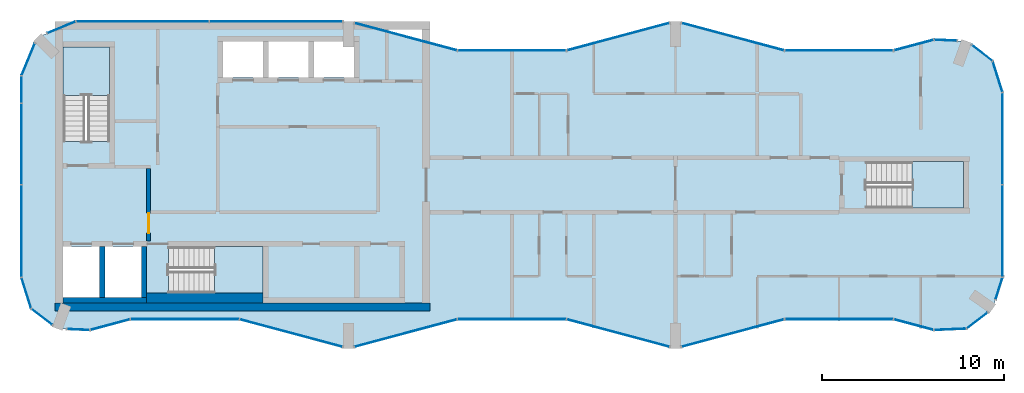
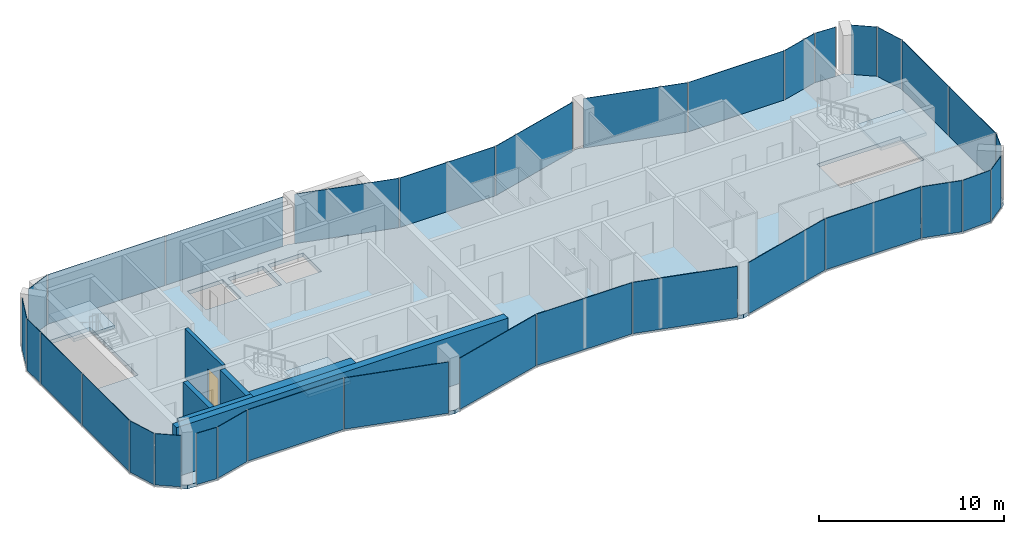
# One storey, part 6 of 10: 33 plates, 6 walls, 4 slabs, 1 door, 1 opening, 32 elements without a shape of their own.
"""IFC4 building model written with IfcOpenShell, lengths in metres."""

from ifc_helpers import new_model, si_unit, direction, frame, frame_2d, origin, origin_2d, place, context, subcontext, project, spatial, polyline, rectangle, outline, extrude, material, layer, layer_set, type_object, element, fill, aggregate, save


model = new_model("IFC4")

# Units and contexts
model_context = context("Model", 3, precision=1e-05, world=origin(), true_north=direction((0.0, 1.0)))
body_context = subcontext(model_context, "Body", "Model", "MODEL_VIEW")
ifc_project = project(units=[si_unit("LENGTHUNIT", "METRE"), si_unit("AREAUNIT", "SQUARE_METRE"), si_unit("VOLUMEUNIT", "CUBIC_METRE"), si_unit("PLANEANGLEUNIT", "RADIAN"), si_unit("MASSUNIT", "GRAM", prefix="KILO")], contexts=[model_context])

# Site, building, storey
site_placement = place(None, origin())
site = spatial("IfcSite", under=ifc_project, at=site_placement, CompositionType="ELEMENT")
building_placement = place(site_placement, origin())
building = spatial("IfcBuilding", under=site, at=building_placement, Name="Plateau Cross Towers", CompositionType="ELEMENT")
storey_placement = place(building_placement, frame((0.0, 0.0, 277.39990234375)))
storey = spatial("IfcBuildingStorey", under=building, at=storey_placement, Name="L73", CompositionType="ELEMENT", Elevation=277.39990234375)

# Curtain wall, plate
ifc_material_1 = material(Name="Dark low-iron glass", Category="glass")
ifc_layer_1 = layer(ifc_material_1, 0.239990234375)
ifc_layer_set_1 = layer_set([ifc_layer_1], Name="Dark low-iron glass")
curtain_wall_type_1 = type_object("IfcCurtainWallType", Name="Curtain wall flush unitised CW-B", PredefinedType="NOTDEFINED", material=ifc_layer_set_1)
curtain_wall_1_placement = place(storey_placement, origin())
curtain_wall_1 = element("IfcCurtainWall", 1, at=curtain_wall_1_placement, inside=storey, type_object=curtain_wall_type_1, Name="ENV/A/L73/A502_10", PredefinedType="NOTDEFINED")
ifc_layer_2 = layer(ifc_material_1, 0.031982421875)
ifc_layer_set_2 = layer_set([ifc_layer_2], Name="Dark low-iron glass")
plate_type_1 = type_object("IfcPlateType", Name="Glass panel 32 flush unitised", PredefinedType="CURTAIN_PANEL", material=ifc_layer_set_2)
plate_1_placement = place(storey_placement, frame((51.125, 1.05078125, -0.1298828125), z_axis=(0.0, 0.0, 1.0), x_axis=(0.999043701491, 0.043722791671, 0.0)))
plate_1 = element("IfcPlate", 2, at=plate_1_placement, type_object=plate_type_1, Name="CW-B panel 1", PredefinedType="CURTAIN_PANEL", context=body_context, shape_type="SweptSolid", body=[
    extrude(rectangle(XDim=1.744140625, YDim=0.031982421875, at=origin_2d()), origin(), (0.0, 0.0, 1.0), 3.3798828125),
])
aggregate(curtain_wall_1, [plate_1])

curtain_wall_2_placement = place(storey_placement, origin())
curtain_wall_2 = element("IfcCurtainWall", 3, at=curtain_wall_2_placement, inside=storey, type_object=curtain_wall_type_1, Name="ENV/A/L73/A520_11", PredefinedType="NOTDEFINED")
plate_2_placement = place(storey_placement, frame((52.60986328125, 1.5380859375, -0.1298828125), z_axis=(0.0, 0.0, 1.0), x_axis=(0.793315514529, 0.608810721331, 0.0)))
plate_2 = element("IfcPlate", 4, at=plate_2_placement, type_object=plate_type_1, Name="CW-B panel 1", PredefinedType="CURTAIN_PANEL", context=body_context, shape_type="SweptSolid", body=[
    extrude(rectangle(XDim=1.41162109375, YDim=0.031982421875, at=origin_2d()), origin(), (0.0, 0.0, 1.0), 3.3798828125),
])
aggregate(curtain_wall_2, [plate_2])

curtain_wall_3_placement = place(storey_placement, origin())
curtain_wall_3 = element("IfcCurtainWall", 5, at=curtain_wall_3_placement, inside=storey, type_object=curtain_wall_type_1, Name="ENV/A/L73/A536_27", PredefinedType="NOTDEFINED")
plate_3_placement = place(storey_placement, frame((53.805419921875, 3.292236328125, -0.1298828125), z_axis=(0.0, 0.0, 1.0), x_axis=(0.300686174994, 0.95372313811, 0.0)))
plate_3 = element("IfcPlate", 6, at=plate_3_placement, type_object=plate_type_1, Name="CW-B panel 1", PredefinedType="CURTAIN_PANEL", context=body_context, shape_type="SweptSolid", body=[
    extrude(rectangle(XDim=1.233642578125, YDim=0.031982421875, at=origin_2d()), origin(), (0.0, 0.0, 1.0), 3.3798828125),
])
aggregate(curtain_wall_3, [plate_3])

# Curtain wall, plates
curtain_wall_4_placement = place(storey_placement, origin())
curtain_wall_4 = element("IfcCurtainWall", 7, at=curtain_wall_4_placement, inside=storey, type_object=curtain_wall_type_1, Name="ENV/A/L73/A540_39", PredefinedType="NOTDEFINED")
plate_4_placement = place(storey_placement, frame((54.0, 6.45458984375, -0.1298828125), z_axis=(0.0, 0.0, 1.0), x_axis=(0.0, 1.0, 0.0)))
plate_4 = element("IfcPlate", 8, at=plate_4_placement, type_object=plate_type_1, Name="CW-B panel 1", PredefinedType="CURTAIN_PANEL", context=body_context, shape_type="SweptSolid", body=[
    extrude(rectangle(XDim=5.03076171875, YDim=0.031982421875, at=origin_2d()), origin(), (0.0, 0.0, 1.0), 3.3798828125),
])
plate_5_placement = place(storey_placement, frame((54.0, 11.54541015625, -0.1298828125), z_axis=(0.0, 0.0, 1.0), x_axis=(0.0, 1.0, 0.0)))
plate_5 = element("IfcPlate", 9, at=plate_5_placement, type_object=plate_type_1, Name="CW-B panel 2", PredefinedType="CURTAIN_PANEL", context=body_context, shape_type="SweptSolid", body=[
    extrude(rectangle(XDim=5.03076171875, YDim=0.031982421875, at=origin_2d()), origin(), (0.0, 0.0, 1.0), 3.3798828125),
])
aggregate(curtain_wall_4, [plate_4, plate_5])

# Curtain wall, plate
curtain_wall_5_placement = place(storey_placement, origin())
curtain_wall_5 = element("IfcCurtainWall", 10, at=curtain_wall_5_placement, inside=storey, type_object=curtain_wall_type_1, Name="ENV/A/L73/A540_141", PredefinedType="NOTDEFINED")
plate_6_placement = place(storey_placement, frame((53.728759765625, 14.951171875, -0.1298828125), z_axis=(0.0, 0.0, 1.0), x_axis=(-0.300686174994, 0.95372313811, 0.0)))
plate_6 = element("IfcPlate", 11, at=plate_6_placement, type_object=plate_type_1, Name="CW-B panel 1", PredefinedType="CURTAIN_PANEL", context=body_context, shape_type="SweptSolid", body=[
    extrude(rectangle(XDim=1.744140625, YDim=0.031982421875, at=origin_2d()), origin(), (0.0, 0.0, 1.0), 3.3798828125),
])
aggregate(curtain_wall_5, [plate_6])

curtain_wall_6_placement = place(storey_placement, origin())
curtain_wall_6 = element("IfcCurtainWall", 12, at=curtain_wall_6_placement, inside=storey, type_object=curtain_wall_type_1, Name="ENV/A/L73/A535_158", PredefinedType="NOTDEFINED")
plate_7_placement = place(storey_placement, frame((52.873779296875, 16.25927734375, -0.1298828125), z_axis=(0.0, 0.0, 1.0), x_axis=(-0.793315514529, 0.608810721331, 0.0)))
plate_7 = element("IfcPlate", 13, at=plate_7_placement, type_object=plate_type_1, Name="CW-B panel 1", PredefinedType="CURTAIN_PANEL", context=body_context, shape_type="SweptSolid", body=[
    extrude(rectangle(XDim=1.41162109375, YDim=0.031982421875, at=origin_2d()), origin(), (0.0, 0.0, 1.0), 3.3798828125),
])
aggregate(curtain_wall_6, [plate_7])

curtain_wall_7_placement = place(storey_placement, origin())
curtain_wall_7 = element("IfcCurtainWall", 14, at=curtain_wall_7_placement, inside=storey, type_object=curtain_wall_type_1, Name="ENV/A/L73/A515_169", PredefinedType="NOTDEFINED")
plate_8_placement = place(storey_placement, frame((50.8701171875, 16.96044921875, -0.1298828125), z_axis=(0.0, 0.0, 1.0), x_axis=(-0.999043701491, 0.043722791671, 0.0)))
plate_8 = element("IfcPlate", 15, at=plate_8_placement, type_object=plate_type_1, Name="CW-B panel 1", PredefinedType="CURTAIN_PANEL", context=body_context, shape_type="SweptSolid", body=[
    extrude(rectangle(XDim=1.233642578125, YDim=0.031982421875, at=origin_2d()), origin(), (0.0, 0.0, 1.0), 3.3798828125),
])
aggregate(curtain_wall_7, [plate_8])

# Curtain wall, plates
curtain_wall_8_placement = place(storey_placement, origin())
curtain_wall_8 = element("IfcCurtainWall", 16, at=curtain_wall_8_placement, inside=storey, type_object=curtain_wall_type_1, Name="ENV/A/L73/A177_180", PredefinedType="NOTDEFINED")
plate_9_placement = place(storey_placement, frame((14.02490234375, 18.0, -0.1298828125), z_axis=(0.0, 0.0, 1.0), x_axis=(-1.0, 0.0, 0.0)))
plate_9 = element("IfcPlate", 17, at=plate_9_placement, type_object=plate_type_1, Name="CW-B panel 1", PredefinedType="CURTAIN_PANEL", context=body_context, shape_type="SweptSolid", body=[
    extrude(rectangle(XDim=7.2900390625, YDim=0.031982421875, at=origin_2d()), origin(), (0.0, 0.0, 1.0), 3.3798828125),
])
plate_10_placement = place(storey_placement, frame((6.675048828125, 18.0, -0.1298828125), z_axis=(0.0, 0.0, 1.0), x_axis=(-1.0, 0.0, 0.0)))
plate_10 = element("IfcPlate", 18, at=plate_10_placement, type_object=plate_type_1, Name="CW-B panel 2", PredefinedType="CURTAIN_PANEL", context=body_context, shape_type="SweptSolid", body=[
    extrude(rectangle(XDim=7.2900390625, YDim=0.031982421875, at=origin_2d()), origin(), (0.0, 0.0, 1.0), 3.3798828125),
])
aggregate(curtain_wall_8, [plate_9, plate_10])

# Curtain wall, plate
curtain_wall_9_placement = place(storey_placement, origin())
curtain_wall_9 = element("IfcCurtainWall", 19, at=curtain_wall_9_placement, inside=storey, type_object=curtain_wall_type_1, Name="ENV/A/L73/A30_180", PredefinedType="NOTDEFINED")
plate_11_placement = place(storey_placement, frame((2.20166015625, 17.66943359375, -0.1298828125), z_axis=(0.0, 0.0, 1.0), x_axis=(-0.923879457699, -0.382683612978, 0.0)))
plate_11 = element("IfcPlate", 20, at=plate_11_placement, type_object=plate_type_1, Name="CW-B panel 1", PredefinedType="CURTAIN_PANEL", context=body_context, shape_type="SweptSolid", body=[
    extrude(rectangle(XDim=1.668212890625, YDim=0.031982421875, at=origin_2d()), origin(), (0.0, 0.0, 1.0), 3.3798828125),
])
aggregate(curtain_wall_9, [plate_11])

curtain_wall_10_placement = place(storey_placement, origin())
curtain_wall_10 = element("IfcCurtainWall", 21, at=curtain_wall_10_placement, inside=storey, type_object=curtain_wall_type_1, Name="ENV/A/L73/A7_168", PredefinedType="NOTDEFINED")
plate_12_placement = place(storey_placement, frame((0.3740234375, 15.90283203125, -0.1298828125), z_axis=(0.0, 0.0, 1.0), x_axis=(-0.382683612978, -0.923879457699, 0.0)))
plate_12 = element("IfcPlate", 22, at=plate_12_placement, type_object=plate_type_1, Name="CW-B panel 1", PredefinedType="CURTAIN_PANEL", context=body_context, shape_type="SweptSolid", body=[
    extrude(rectangle(XDim=1.894775390625, YDim=0.031982421875, at=origin_2d()), origin(), (0.0, 0.0, 1.0), 3.3798828125),
])
aggregate(curtain_wall_10, [plate_12])

# Curtain wall, plates
curtain_wall_11_placement = place(storey_placement, origin())
curtain_wall_11 = element("IfcCurtainWall", 23, at=curtain_wall_11_placement, inside=storey, type_object=curtain_wall_type_1, Name="ENV/A/L73/A0_150", PredefinedType="NOTDEFINED")
plate_13_placement = place(storey_placement, frame((0.0, 14.25, -0.1298828125), z_axis=(0.0, 0.0, 1.0), x_axis=(0.0, -1.0, 0.0)))
plate_13 = element("IfcPlate", 24, at=plate_13_placement, type_object=plate_type_1, Name="CW-B panel 1", PredefinedType="CURTAIN_PANEL", context=body_context, shape_type="SweptSolid", body=[
    extrude(rectangle(XDim=1.43994140625, YDim=0.031982421875, at=origin_2d()), origin(), (0.0, 0.0, 1.0), 3.3798828125),
])
plate_14_placement = place(storey_placement, frame((0.0, 11.25, -0.1298828125), z_axis=(0.0, 0.0, 1.0), x_axis=(0.0, -1.0, 0.0)))
plate_14 = element("IfcPlate", 25, at=plate_14_placement, type_object=plate_type_1, Name="CW-B panel 2", PredefinedType="CURTAIN_PANEL", context=body_context, shape_type="SweptSolid", body=[
    extrude(rectangle(XDim=4.43994140625, YDim=0.031982421875, at=origin_2d()), origin(), (0.0, 0.0, 1.0), 3.3798828125),
])
plate_15_placement = place(storey_placement, frame((0.0, 6.45458984375, -0.1298828125), z_axis=(0.0, 0.0, 1.0), x_axis=(0.0, -1.0, 0.0)))
plate_15 = element("IfcPlate", 26, at=plate_15_placement, type_object=plate_type_1, Name="CW-B panel 3", PredefinedType="CURTAIN_PANEL", context=body_context, shape_type="SweptSolid", body=[
    extrude(rectangle(XDim=5.03076171875, YDim=0.031982421875, at=origin_2d()), origin(), (0.0, 0.0, 1.0), 3.3798828125),
])
aggregate(curtain_wall_11, [plate_13, plate_14, plate_15])

# Curtain wall, plate
curtain_wall_12_placement = place(storey_placement, origin())
curtain_wall_12 = element("IfcCurtainWall", 27, at=curtain_wall_12_placement, inside=storey, type_object=curtain_wall_type_1, Name="ENV/A/L73/A0_39", PredefinedType="NOTDEFINED")
plate_16_placement = place(storey_placement, frame((0.271240234375, 3.048828125, -0.1298828125), z_axis=(0.0, 0.0, 1.0), x_axis=(0.300686174994, -0.95372313811, 0.0)))
plate_16 = element("IfcPlate", 28, at=plate_16_placement, type_object=plate_type_1, Name="CW-B panel 1", PredefinedType="CURTAIN_PANEL", context=body_context, shape_type="SweptSolid", body=[
    extrude(rectangle(XDim=1.744140625, YDim=0.031982421875, at=origin_2d()), origin(), (0.0, 0.0, 1.0), 3.3798828125),
])
aggregate(curtain_wall_12, [plate_16])

curtain_wall_13_placement = place(storey_placement, origin())
curtain_wall_13 = element("IfcCurtainWall", 29, at=curtain_wall_13_placement, inside=storey, type_object=curtain_wall_type_1, Name="ENV/A/L73/A5_22", PredefinedType="NOTDEFINED")
plate_17_placement = place(storey_placement, frame((1.126220703125, 1.74072265625, -0.1298828125), z_axis=(0.0, 0.0, 1.0), x_axis=(0.793315514529, -0.608810721331, 0.0)))
plate_17 = element("IfcPlate", 30, at=plate_17_placement, type_object=plate_type_1, Name="CW-B panel 1", PredefinedType="CURTAIN_PANEL", context=body_context, shape_type="SweptSolid", body=[
    extrude(rectangle(XDim=1.41162109375, YDim=0.031982421875, at=origin_2d()), origin(), (0.0, 0.0, 1.0), 3.3798828125),
])
aggregate(curtain_wall_13, [plate_17])

curtain_wall_14_placement = place(storey_placement, origin())
curtain_wall_14 = element("IfcCurtainWall", 31, at=curtain_wall_14_placement, inside=storey, type_object=curtain_wall_type_1, Name="ENV/A/L73/A25_11", PredefinedType="NOTDEFINED")
plate_18_placement = place(storey_placement, frame((3.1298828125, 1.03955078125, -0.1298828125), z_axis=(0.0, 0.0, 1.0), x_axis=(0.999043701491, -0.043722791671, 0.0)))
plate_18 = element("IfcPlate", 32, at=plate_18_placement, type_object=plate_type_1, Name="CW-B panel 1", PredefinedType="CURTAIN_PANEL", context=body_context, shape_type="SweptSolid", body=[
    extrude(rectangle(XDim=1.233642578125, YDim=0.031982421875, at=origin_2d()), origin(), (0.0, 0.0, 1.0), 3.3798828125),
])
aggregate(curtain_wall_14, [plate_18])

ifc_layer_3 = layer(ifc_material_1, 0.260009765625)
ifc_layer_set_3 = layer_set([ifc_layer_3], Name="Dark low-iron glass")
curtain_wall_type_2 = type_object("IfcCurtainWallType", Name="Curtain wall fluted unitised CW-A", PredefinedType="NOTDEFINED", material=ifc_layer_set_3)
curtain_wall_15_placement = place(storey_placement, origin())
curtain_wall_15 = element("IfcCurtainWall", 33, at=curtain_wall_15_placement, inside=storey, type_object=curtain_wall_type_2, Name="ENV/A/L73/A38_10", PredefinedType="NOTDEFINED")
ifc_layer_4 = layer(ifc_material_1, 0.035888671875)
ifc_layer_set_4 = layer_set([ifc_layer_4], Name="Dark low-iron glass")
plate_type_2 = type_object("IfcPlateType", Name="Glass panel 36 fluted unitised", PredefinedType="CURTAIN_PANEL", material=ifc_layer_set_4)
plate_19_placement = place(storey_placement, frame((4.887939453125, 1.30908203125, -0.1298828125), z_axis=(0.0, 0.0, 1.0), x_axis=(0.965957962328, 0.258699081978, 0.0)))
plate_19 = element("IfcPlate", 34, at=plate_19_placement, type_object=plate_type_2, Name="CW-A panel 1", PredefinedType="CURTAIN_PANEL", context=body_context, shape_type="SweptSolid", body=[
    extrude(rectangle(XDim=2.2421875, YDim=0.035888671875, at=origin_2d()), origin(), (0.0, 0.0, 1.0), 3.3798828125),
])
aggregate(curtain_wall_15, [plate_19])

curtain_wall_16_placement = place(storey_placement, origin())
curtain_wall_16 = element("IfcCurtainWall", 35, at=curtain_wall_16_placement, inside=storey, type_object=curtain_wall_type_2, Name="ENV/A/L73/A60_16", PredefinedType="NOTDEFINED")
plate_20_placement = place(storey_placement, frame((9.0, 1.60693359375, -0.1298828125), z_axis=(0.0, 0.0, 1.0), x_axis=(1.0, 0.0, 0.0)))
plate_20 = element("IfcPlate", 36, at=plate_20_placement, type_object=plate_type_2, Name="CW-A panel 1", PredefinedType="CURTAIN_PANEL", context=body_context, shape_type="SweptSolid", body=[
    extrude(rectangle(XDim=5.93994140625, YDim=0.035888671875, at=origin_2d()), origin(), (0.0, 0.0, 1.0), 3.3798828125),
])
aggregate(curtain_wall_16, [plate_20])

curtain_wall_17_placement = place(storey_placement, origin())
curtain_wall_17 = element("IfcCurtainWall", 37, at=curtain_wall_17_placement, inside=storey, type_object=curtain_wall_type_2, Name="ENV/A/L73/A120_16", PredefinedType="NOTDEFINED")
plate_21_placement = place(storey_placement, frame((14.841064453125, 0.845947265625, -0.1298828125), z_axis=(0.0, 0.0, 1.0), x_axis=(0.965957983404, -0.258699003279, 0.0)))
plate_21 = element("IfcPlate", 38, at=plate_21_placement, type_object=plate_type_2, Name="CW-A panel 1", PredefinedType="CURTAIN_PANEL", context=body_context, shape_type="SweptSolid", body=[
    extrude(rectangle(XDim=5.822265625, YDim=0.035888671875, at=origin_2d()), origin(), (0.0, 0.0, 1.0), 3.3798828125),
])
aggregate(curtain_wall_17, [plate_21])

curtain_wall_18_placement = place(storey_placement, origin())
curtain_wall_18 = element("IfcCurtainWall", 39, at=curtain_wall_18_placement, inside=storey, type_object=curtain_wall_type_2, Name="ENV/A/L73/A183_1", PredefinedType="NOTDEFINED")
plate_22_placement = place(storey_placement, frame((21.158935546875, 0.845947265625, -0.1298828125), z_axis=(0.0, 0.0, 1.0), x_axis=(0.965957983404, 0.258699003279, 0.0)))
plate_22 = element("IfcPlate", 40, at=plate_22_placement, type_object=plate_type_2, Name="CW-A panel 1", PredefinedType="CURTAIN_PANEL", context=body_context, shape_type="SweptSolid", body=[
    extrude(rectangle(XDim=5.822265625, YDim=0.035888671875, at=origin_2d()), origin(), (0.0, 0.0, 1.0), 3.3798828125),
])
aggregate(curtain_wall_18, [plate_22])

curtain_wall_19_placement = place(storey_placement, origin())
curtain_wall_19 = element("IfcCurtainWall", 41, at=curtain_wall_19_placement, inside=storey, type_object=curtain_wall_type_2, Name="ENV/A/L73/A240_16", PredefinedType="NOTDEFINED")
plate_23_placement = place(storey_placement, frame((27.0, 1.60693359375, -0.1298828125), z_axis=(0.0, 0.0, 1.0), x_axis=(1.0, 0.0, 0.0)))
plate_23 = element("IfcPlate", 42, at=plate_23_placement, type_object=plate_type_2, Name="CW-A panel 1", PredefinedType="CURTAIN_PANEL", context=body_context, shape_type="SweptSolid", body=[
    extrude(rectangle(XDim=5.93994140625, YDim=0.035888671875, at=origin_2d()), origin(), (0.0, 0.0, 1.0), 3.3798828125),
])
aggregate(curtain_wall_19, [plate_23])

curtain_wall_20_placement = place(storey_placement, origin())
curtain_wall_20 = element("IfcCurtainWall", 43, at=curtain_wall_20_placement, inside=storey, type_object=curtain_wall_type_2, Name="ENV/A/L73/A300_16", PredefinedType="NOTDEFINED")
plate_24_placement = place(storey_placement, frame((32.841064453125, 0.845947265625, -0.1298828125), z_axis=(0.0, 0.0, 1.0), x_axis=(0.965957983404, -0.258699003279, 0.0)))
plate_24 = element("IfcPlate", 44, at=plate_24_placement, type_object=plate_type_2, Name="CW-A panel 1", PredefinedType="CURTAIN_PANEL", context=body_context, shape_type="SweptSolid", body=[
    extrude(rectangle(XDim=5.822265625, YDim=0.035888671875, at=origin_2d()), origin(), (0.0, 0.0, 1.0), 3.3798828125),
])
aggregate(curtain_wall_20, [plate_24])

curtain_wall_21_placement = place(storey_placement, origin())
curtain_wall_21 = element("IfcCurtainWall", 45, at=curtain_wall_21_placement, inside=storey, type_object=curtain_wall_type_2, Name="ENV/A/L73/A363_1", PredefinedType="NOTDEFINED")
plate_25_placement = place(storey_placement, frame((39.158935546875, 0.845947265625, -0.1298828125), z_axis=(0.0, 0.0, 1.0), x_axis=(0.965957983404, 0.258699003279, 0.0)))
plate_25 = element("IfcPlate", 46, at=plate_25_placement, type_object=plate_type_2, Name="CW-A panel 1", PredefinedType="CURTAIN_PANEL", context=body_context, shape_type="SweptSolid", body=[
    extrude(rectangle(XDim=5.822265625, YDim=0.035888671875, at=origin_2d()), origin(), (0.0, 0.0, 1.0), 3.3798828125),
])
aggregate(curtain_wall_21, [plate_25])

curtain_wall_22_placement = place(storey_placement, origin())
curtain_wall_22 = element("IfcCurtainWall", 47, at=curtain_wall_22_placement, inside=storey, type_object=curtain_wall_type_2, Name="ENV/A/L73/A420_16", PredefinedType="NOTDEFINED")
plate_26_placement = place(storey_placement, frame((45.0, 1.60693359375, -0.1298828125), z_axis=(0.0, 0.0, 1.0), x_axis=(1.0, 0.0, 0.0)))
plate_26 = element("IfcPlate", 48, at=plate_26_placement, type_object=plate_type_2, Name="CW-A panel 1", PredefinedType="CURTAIN_PANEL", context=body_context, shape_type="SweptSolid", body=[
    extrude(rectangle(XDim=5.93994140625, YDim=0.035888671875, at=origin_2d()), origin(), (0.0, 0.0, 1.0), 3.3798828125),
])
aggregate(curtain_wall_22, [plate_26])

curtain_wall_23_placement = place(storey_placement, origin())
curtain_wall_23 = element("IfcCurtainWall", 49, at=curtain_wall_23_placement, inside=storey, type_object=curtain_wall_type_2, Name="ENV/A/L73/A480_16", PredefinedType="NOTDEFINED")
plate_27_placement = place(storey_placement, frame((49.112060546875, 1.30908203125, -0.1298828125), z_axis=(0.0, 0.0, 1.0), x_axis=(0.965957962328, -0.258699081978, 0.0)))
plate_27 = element("IfcPlate", 50, at=plate_27_placement, type_object=plate_type_2, Name="CW-A panel 1", PredefinedType="CURTAIN_PANEL", context=body_context, shape_type="SweptSolid", body=[
    extrude(rectangle(XDim=2.2421875, YDim=0.035888671875, at=origin_2d()), origin(), (0.0, 0.0, 1.0), 3.3798828125),
])
aggregate(curtain_wall_23, [plate_27])

curtain_wall_24_placement = place(storey_placement, origin())
curtain_wall_24 = element("IfcCurtainWall", 51, at=curtain_wall_24_placement, inside=storey, type_object=curtain_wall_type_2, Name="ENV/A/L73/A502_170", PredefinedType="NOTDEFINED")
plate_28_placement = place(storey_placement, frame((49.112060546875, 16.69091796875, -0.1298828125), z_axis=(0.0, 0.0, 1.0), x_axis=(-0.965957962328, -0.258699081978, 0.0)))
plate_28 = element("IfcPlate", 52, at=plate_28_placement, type_object=plate_type_2, Name="CW-A panel 1", PredefinedType="CURTAIN_PANEL", context=body_context, shape_type="SweptSolid", body=[
    extrude(rectangle(XDim=2.2421875, YDim=0.035888671875, at=origin_2d()), origin(), (0.0, 0.0, 1.0), 3.3798828125),
])
aggregate(curtain_wall_24, [plate_28])

curtain_wall_25_placement = place(storey_placement, origin())
curtain_wall_25 = element("IfcCurtainWall", 53, at=curtain_wall_25_placement, inside=storey, type_object=curtain_wall_type_2, Name="ENV/A/L73/A480_164", PredefinedType="NOTDEFINED")
plate_29_placement = place(storey_placement, frame((45.0, 16.39306640625, -0.1298828125), z_axis=(0.0, 0.0, 1.0), x_axis=(-1.0, 0.0, 0.0)))
plate_29 = element("IfcPlate", 54, at=plate_29_placement, type_object=plate_type_2, Name="CW-A panel 1", PredefinedType="CURTAIN_PANEL", context=body_context, shape_type="SweptSolid", body=[
    extrude(rectangle(XDim=5.93994140625, YDim=0.035888671875, at=origin_2d()), origin(), (0.0, 0.0, 1.0), 3.3798828125),
])
aggregate(curtain_wall_25, [plate_29])

curtain_wall_26_placement = place(storey_placement, origin())
curtain_wall_26 = element("IfcCurtainWall", 55, at=curtain_wall_26_placement, inside=storey, type_object=curtain_wall_type_2, Name="ENV/A/L73/A420_164", PredefinedType="NOTDEFINED")
plate_30_placement = place(storey_placement, frame((39.158935546875, 17.154052734375, -0.1298828125), z_axis=(0.0, 0.0, 1.0), x_axis=(-0.965957983404, 0.258699003279, 0.0)))
plate_30 = element("IfcPlate", 56, at=plate_30_placement, type_object=plate_type_2, Name="CW-A panel 1", PredefinedType="CURTAIN_PANEL", context=body_context, shape_type="SweptSolid", body=[
    extrude(rectangle(XDim=5.822265625, YDim=0.035888671875, at=origin_2d()), origin(), (0.0, 0.0, 1.0), 3.3798828125),
])
aggregate(curtain_wall_26, [plate_30])

curtain_wall_27_placement = place(storey_placement, origin())
curtain_wall_27 = element("IfcCurtainWall", 57, at=curtain_wall_27_placement, inside=storey, type_object=curtain_wall_type_2, Name="ENV/A/L73/A357_179", PredefinedType="NOTDEFINED")
plate_31_placement = place(storey_placement, frame((32.841064453125, 17.154052734375, -0.1298828125), z_axis=(0.0, 0.0, 1.0), x_axis=(-0.965957983404, -0.258699003279, 0.0)))
plate_31 = element("IfcPlate", 58, at=plate_31_placement, type_object=plate_type_2, Name="CW-A panel 1", PredefinedType="CURTAIN_PANEL", context=body_context, shape_type="SweptSolid", body=[
    extrude(rectangle(XDim=5.822265625, YDim=0.035888671875, at=origin_2d()), origin(), (0.0, 0.0, 1.0), 3.3798828125),
])
aggregate(curtain_wall_27, [plate_31])

curtain_wall_28_placement = place(storey_placement, origin())
curtain_wall_28 = element("IfcCurtainWall", 59, at=curtain_wall_28_placement, inside=storey, type_object=curtain_wall_type_2, Name="ENV/A/L73/A300_164", PredefinedType="NOTDEFINED")
plate_32_placement = place(storey_placement, frame((27.0, 16.39306640625, -0.1298828125), z_axis=(0.0, 0.0, 1.0), x_axis=(-1.0, 0.0, 0.0)))
plate_32 = element("IfcPlate", 60, at=plate_32_placement, type_object=plate_type_2, Name="CW-A panel 1", PredefinedType="CURTAIN_PANEL", context=body_context, shape_type="SweptSolid", body=[
    extrude(rectangle(XDim=5.93994140625, YDim=0.035888671875, at=origin_2d()), origin(), (0.0, 0.0, 1.0), 3.3798828125),
])
aggregate(curtain_wall_28, [plate_32])

curtain_wall_29_placement = place(storey_placement, origin())
curtain_wall_29 = element("IfcCurtainWall", 61, at=curtain_wall_29_placement, inside=storey, type_object=curtain_wall_type_2, Name="ENV/A/L73/A240_164", PredefinedType="NOTDEFINED")
plate_33_placement = place(storey_placement, frame((21.158935546875, 17.154052734375, -0.1298828125), z_axis=(0.0, 0.0, 1.0), x_axis=(-0.965957983404, 0.258699003279, 0.0)))
plate_33 = element("IfcPlate", 62, at=plate_33_placement, type_object=plate_type_2, Name="CW-A panel 1", PredefinedType="CURTAIN_PANEL", context=body_context, shape_type="SweptSolid", body=[
    extrude(rectangle(XDim=5.822265625, YDim=0.035888671875, at=origin_2d()), origin(), (0.0, 0.0, 1.0), 3.3798828125),
])
aggregate(curtain_wall_29, [plate_33])

# Slab
ifc_material_2 = material(Name="Concrete C40/50", Category="concrete")
ifc_layer_5 = layer(ifc_material_2, 0.25)
ifc_layer_set_5 = layer_set([ifc_layer_5], Name="Concrete C40/50")
slab_type_1 = type_object("IfcSlabType", Name="Post-tensioned flat plate slab 250", PredefinedType="FLOOR", material=ifc_layer_set_5)
slab_1_placement = place(storey_placement, frame((0.0, 0.0, -0.25)))
element("IfcSlab", 63, at=slab_1_placement, inside=storey, type_object=slab_type_1, Name="SL-A-L73", PredefinedType="FLOOR", context=body_context, shape_type="SweptSolid", body=[
    extrude(outline(polyline([(1.9736328125, 1.090087890625), (0.54248046875, 2.1884765625), (0.0, 3.9091796875), (0.0, 15.0), (0.878662109375, 17.121337890625), (3.0, 18.0), (18.0, 18.0), (24.0, 16.39306640625), (30.0, 16.39306640625), (36.0, 18.0), (42.0, 16.39306640625), (48.0, 16.39306640625), (50.223876953125, 16.98876953125), (52.0263671875, 16.909912109375), (53.45751953125, 15.8115234375), (54.0, 14.0908203125), (54.0, 3.9091796875), (53.45751953125, 2.1884765625), (52.0263671875, 1.090087890625), (50.223876953125, 1.01123046875), (48.0, 1.60693359375), (42.0, 1.60693359375), (36.0, 0.0), (30.0, 1.60693359375), (24.0, 1.60693359375), (18.0, 0.0), (12.0, 1.60693359375), (6.0, 1.60693359375), (3.776123046875, 1.01123046875), (1.9736328125, 1.090087890625)]), holes=[polyline([(4.300048828125, 5.60009765625), (2.300048828125, 5.60009765625), (2.300048828125, 2.800048828125), (4.300048828125, 2.800048828125), (4.300048828125, 5.60009765625)]), polyline([(6.60009765625, 5.60009765625), (4.60009765625, 5.60009765625), (4.60009765625, 2.800048828125), (6.60009765625, 2.800048828125), (6.60009765625, 5.60009765625)]), polyline([(13.300048828125, 5.60009765625), (8.10009765625, 5.60009765625), (8.10009765625, 3.050048828125), (13.300048828125, 3.050048828125), (13.300048828125, 5.60009765625)]), polyline([(51.699951171875, 10.27490234375), (46.5, 10.27490234375), (46.5, 7.72509765625), (51.699951171875, 7.72509765625), (51.699951171875, 10.27490234375)]), polyline([(2.300048828125, 16.60009765625), (2.300048828125, 11.39990234375), (4.85009765625, 11.39990234375), (4.85009765625, 16.60009765625), (2.300048828125, 16.60009765625)]), polyline([(13.300048828125, 16.89990234375), (11.10009765625, 16.89990234375), (11.10009765625, 14.89990234375), (13.300048828125, 14.89990234375), (13.300048828125, 16.89990234375)]), polyline([(15.800048828125, 16.89990234375), (13.60009765625, 16.89990234375), (13.60009765625, 14.89990234375), (15.800048828125, 14.89990234375), (15.800048828125, 16.89990234375)]), polyline([(18.300048828125, 16.89990234375), (16.10009765625, 16.89990234375), (16.10009765625, 14.89990234375), (18.300048828125, 14.89990234375), (18.300048828125, 16.89990234375)])]), origin(), (0.0, 0.0, 1.0), 0.25),
])

# Stair, slab
stair_type = type_object("IfcStairType", Name="ST-TWR", PredefinedType="HALF_TURN_STAIR", material=ifc_material_2)
stair_1_placement = place(storey_placement, origin())
stair_1 = element("IfcStair", 64, at=stair_1_placement, inside=storey, type_object=stair_type, Name="L73 Protected Exit Stair ST-1", PredefinedType="HALF_TURN_STAIR")
ifc_layer_6 = layer(ifc_material_2, 0.199951171875)
ifc_layer_set_6 = layer_set([ifc_layer_6], Name="Concrete C40/50")
slab_type_2 = type_object("IfcSlabType", Name="SL-LANDING", PredefinedType="LANDING", material=ifc_layer_set_6)
slab_2_placement = place(storey_placement, frame((0.0, 0.0, 1.550048828125)))
slab_2 = element("IfcSlab", 65, at=slab_2_placement, type_object=slab_type_2, Name="ST-1 landing 1", PredefinedType="LANDING", context=body_context, shape_type="SweptSolid", body=[
    extrude(outline(polyline([(4.85009765625, 13.919921875), (4.85009765625, 16.60009765625), (2.300048828125, 16.60009765625), (2.300048828125, 13.919921875), (4.85009765625, 13.919921875)])), origin(), (0.0, 0.0, 1.0), 0.199951171875),
])
aggregate(stair_1, [slab_2])

stair_2_placement = place(storey_placement, origin())
stair_2 = element("IfcStair", 66, at=stair_2_placement, inside=storey, type_object=stair_type, Name="L73 Protected Exit Stair ST-2", PredefinedType="HALF_TURN_STAIR")
slab_3_placement = place(storey_placement, frame((0.0, 0.0, 1.550048828125)))
slab_3 = element("IfcSlab", 67, at=slab_3_placement, type_object=slab_type_2, Name="ST-2 landing 1", PredefinedType="LANDING", context=body_context, shape_type="SweptSolid", body=[
    extrude(outline(polyline([(10.6201171875, 3.050048828125), (13.300048828125, 3.050048828125), (13.300048828125, 5.60009765625), (10.6201171875, 5.60009765625), (10.6201171875, 3.050048828125)])), origin(), (0.0, 0.0, 1.0), 0.199951171875),
])
aggregate(stair_2, [slab_3])

stair_3_placement = place(storey_placement, origin())
stair_3 = element("IfcStair", 68, at=stair_3_placement, inside=storey, type_object=stair_type, Name="L73 Protected Exit Stair E", PredefinedType="HALF_TURN_STAIR")
slab_4_placement = place(storey_placement, frame((0.0, 0.0, 1.550048828125)))
slab_4 = element("IfcSlab", 69, at=slab_4_placement, type_object=slab_type_2, Name="ES-E landing 1", PredefinedType="LANDING", context=body_context, shape_type="SweptSolid", body=[
    extrude(outline(polyline([(49.02001953125, 7.72509765625), (51.85009765625, 7.72509765625), (51.85009765625, 10.27490234375), (49.02001953125, 10.27490234375), (49.02001953125, 7.72509765625)])), origin(), (0.0, 0.0, 1.0), 0.199951171875),
])
aggregate(stair_3, [slab_4])

# Wall, opening, door
ifc_material_3 = material(Name="Concrete block, plastered both sides", Category="concrete")
ifc_layer_7 = layer(ifc_material_3, 0.199951171875)
ifc_layer_set_7 = layer_set([ifc_layer_7], Name="Concrete block, plastered both sides")
wall_type_1 = type_object("IfcWallType", Name="Core partition 200", PredefinedType="PARTITIONING", material=ifc_layer_set_7)
wall_1_placement = place(storey_placement, frame((7.0, 5.89990234375, 0.0), z_axis=(0.0, 0.0, 1.0), x_axis=(0.0, 1.0, 0.0)))
wall_1 = element("IfcWall", 70, at=wall_1_placement, inside=storey, type_object=wall_type_1, Name="Core partition", PredefinedType="PARTITIONING", context=body_context, shape_type="SweptSolid", body=[
    extrude(rectangle(XDim=4.0, YDim=0.199951171875, at=frame_2d((2.0, 0.0))), origin(), (0.0, 0.0, 1.0), 3.25),
])
opening_placement = place(wall_1_placement, frame((0.449951171875, 0.0, 0.0)))
opening = element("IfcOpeningElement", 71, at=opening_placement, cuts=wall_1, Name="Opening FFD", PredefinedType="OPENING", context=body_context, shape_type="SweptSolid", body=[
    extrude(rectangle(XDim=1.10009765625, YDim=2.10009765625, at=frame_2d((0.550048828125, 1.050048828125))), frame((0.0, 0.10986328125, 0.0), z_axis=(0.0, -1.0, 0.0), x_axis=(1.0, 0.0, 0.0)), (0.0, 0.0, 1.0), 0.219970703125),
])
ifc_material_4 = material(Name="Steel, fire-resisting leaf", Category="steel")
door_type = type_object("IfcDoorType", Name="Firefighting lobby door 1100", OperationType="NOTDEFINED", PredefinedType="DOOR", material=ifc_material_4)
door_placement = place(opening_placement, origin())
door = element("IfcDoor", 72, at=door_placement, inside=storey, type_object=door_type, Name="Firefighting lobby door FFD", OperationType="SINGLE_SWING_LEFT", OverallHeight=2.10009765625, OverallWidth=1.10009765625, PredefinedType="DOOR", context=body_context, shape_type="SweptSolid", body=[
    extrude(rectangle(XDim=1.10009765625, YDim=2.10009765625, at=frame_2d((0.550048828125, 1.050048828125))), frame((0.0, 0.02490234375, 0.0), z_axis=(0.0, -1.0, 0.0), x_axis=(1.0, 0.0, 0.0)), (0.0, 0.0, 1.0), 0.050048828125),
])
fill(opening, door)

# Walls
ifc_material_5 = material(Name="Concrete C60/75", Category="concrete")
ifc_layer_8 = layer(ifc_material_5, 0.300048828125)
ifc_layer_set_8 = layer_set([ifc_layer_8], Name="Concrete C60/75")
wall_type_2 = type_object("IfcWallType", Name="Core shaft wall 300", PredefinedType="SHEAR", material=ifc_layer_set_8)
wall_2_placement = place(storey_placement, frame((2.300048828125, 2.64990234375, 0.0), z_axis=(0.0, 0.0, 1.0), x_axis=(1.0, 0.0, 0.0)))
element("IfcWall", 73, at=wall_2_placement, inside=storey, type_object=wall_type_2, Name="A-sb-back1@L73", PredefinedType="SHEAR", context=body_context, shape_type="SweptSolid", body=[
    extrude(rectangle(XDim=4.599853515625, YDim=0.300048828125, at=frame_2d((2.2998046875, 0.0))), origin(), (0.0, 0.0, 1.0), 3.25),
])
for number, where, z_axis, x_axis, name in (
    (74, (4.449951171875, 2.800048828125, 0.0), (0.0, 0.0, 1.0), (0.0, 1.0, 0.0), "A-sb-v1@L73"),
    (75, (6.75, 2.800048828125, 0.0), (0.0, 0.0, 1.0), (0.0, 1.0, 0.0), "A-sb-v2@L73"),
):
    element("IfcWall", number, at=place(storey_placement, frame(where, z_axis=z_axis, x_axis=x_axis)), inside=storey, type_object=wall_type_2, Name=name, PredefinedType="SHEAR", context=body_context, shape_type="SweptSolid", body=[
        extrude(rectangle(XDim=2.800048828125, YDim=0.300048828125, at=frame_2d((1.39990234375, 0.0))), origin(), (0.0, 0.0, 1.0), 3.25),
    ])
ifc_layer_9 = layer(ifc_material_5, 0.550048828125)
ifc_layer_set_9 = layer_set([ifc_layer_9], Name="Concrete C60/75")
wall_type_3 = type_object("IfcWallType", Name="Core shaft wall 550", PredefinedType="SHEAR", material=ifc_layer_set_9)
wall_3_placement = place(storey_placement, frame((6.89990234375, 2.77490234375, 0.0), z_axis=(0.0, 0.0, 1.0), x_axis=(1.0, 0.0, 0.0)))
element("IfcWall", 76, at=wall_3_placement, inside=storey, type_object=wall_type_3, Name="A-sb-back2@L73", PredefinedType="SHEAR", context=body_context, shape_type="SweptSolid", body=[
    extrude(rectangle(XDim=6.400146484375, YDim=0.550048828125, at=frame_2d((3.2001953125, 0.0))), origin(), (0.0, 0.0, 1.0), 3.25),
])
ifc_layer_10 = layer(ifc_material_5, 0.449951171875)
ifc_layer_set_10 = layer_set([ifc_layer_10], Name="Concrete C60/75")
wall_type_4 = type_object("IfcWallType", Name="Core shell wall 450", PredefinedType="SHEAR", material=ifc_layer_set_10)
wall_4_placement = place(storey_placement, frame((1.85009765625, 2.27490234375, 0.0), z_axis=(0.0, 0.0, 1.0), x_axis=(1.0, 0.0, 0.0)))
element("IfcWall", 77, at=wall_4_placement, inside=storey, type_object=wall_type_4, Name="A-core-S@L73", PredefinedType="SHEAR", context=body_context, shape_type="SweptSolid", body=[
    extrude(rectangle(XDim=20.64990234375, YDim=0.449951171875, at=frame_2d((10.324951171875, 0.0))), origin(), (0.0, 0.0, 1.0), 3.25),
])

save(model, "model.ifc")
